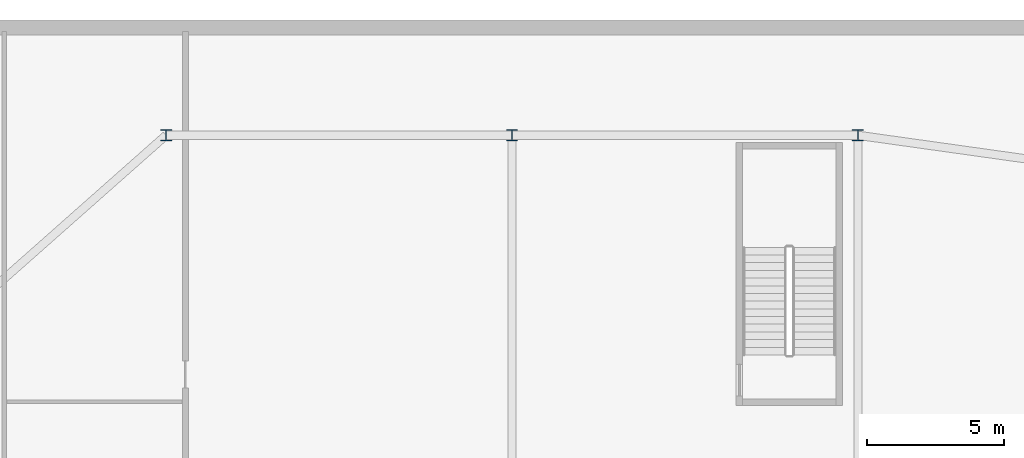
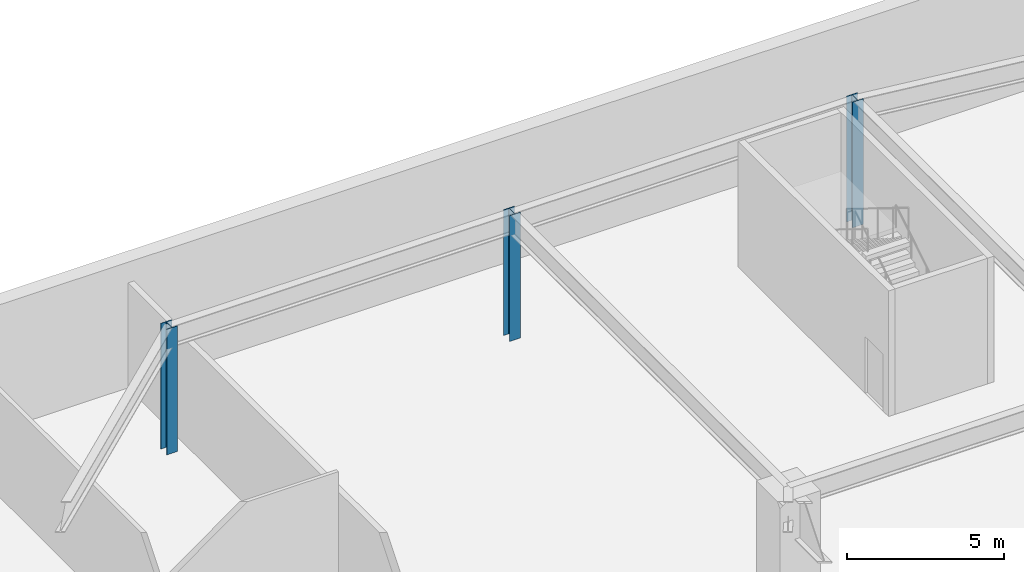
# One storey, part 2 of 13: 3 columns.
"""IFC4 building model written with IfcOpenShell, lengths in metres."""

from ifc_helpers import new_model, si_unit, direction, frame, origin, origin_2d, place, context, subcontext, project, spatial, i_section, extrude, material, material_profile, profile_set, type_object, element, save


model = new_model("IFC4")

# Units and contexts
model_context = context("Model", 3, precision=1e-05, world=origin(), true_north=direction((0.0, 1.0)))
body_context = subcontext(model_context, "Body", "Model", "MODEL_VIEW")
ifc_project = project(units=[si_unit("LENGTHUNIT", "METRE"), si_unit("AREAUNIT", "SQUARE_METRE"), si_unit("VOLUMEUNIT", "CUBIC_METRE"), si_unit("PLANEANGLEUNIT", "RADIAN"), si_unit("MASSUNIT", "GRAM", prefix="KILO")], contexts=[model_context])

# Site, building, storey
site_placement = place(None, origin())
site = spatial("IfcSite", under=ifc_project, at=site_placement, CompositionType="ELEMENT")
building_placement = place(site_placement, origin())
building = spatial("IfcBuilding", under=site, at=building_placement, Name="Calvorn Quay Hotel", CompositionType="ELEMENT")
storey_placement = place(building_placement, frame((0.0, 0.0, -5.199951171875)))
storey = spatial("IfcBuildingStorey", under=building, at=storey_placement, Name="B1", CompositionType="ELEMENT", Elevation=-5.199951171875)

# Columns
ifc_material = material(Name="Steel Q420GJC", Category="steel")
ifc_material_profile = material_profile(ifc_material, i_section(OverallWidth=0.39990234375, OverallDepth=0.39990234375, WebThickness=0.012939453125, FlangeThickness=0.02099609375, FilletRadius=0.02197265625, at=origin_2d()), Name="HW400x400x13x21")
ifc_profile_set = profile_set([ifc_material_profile], Name="Steel Q420GJC")
column_type = type_object("IfcColumnType", Name="COL-STL-POD-PIL", PredefinedType="PILASTER", material=ifc_profile_set)
for number, where, z_axis, x_axis, name in (
    (1, (32.39990234375, 53.800048828125, 0.0), (0.0, 0.0, 1.0), (1.0, 0.0, 0.0), "Column C-PN3 (B1)"),
    (2, (45.0, 53.800048828125, 0.0), (0.0, 0.0, 1.0), (1.0, 0.0, 0.0), "Column C-PN4 (B1)"),
    (3, (57.60009765625, 53.800048828125, 0.0), (0.0, 0.0, 1.0), (1.0, 0.0, 0.0), "Column C-PN5 (B1)"),
):
    element("IfcColumn", number, at=place(storey_placement, frame(where, z_axis=z_axis, x_axis=x_axis)), inside=storey, type_object=column_type, Name=name, PredefinedType="PILASTER", context=body_context, shape_type="SweptSolid", body=[
        extrude(i_section(OverallWidth=0.39990234375, OverallDepth=0.39990234375, WebThickness=0.012939453125, FlangeThickness=0.02099609375, FilletRadius=0.02197265625, at=origin_2d()), origin(), (0.0, 0.0, 1.0), 4.8798828125),
    ])

save(model, "model.ifc")
